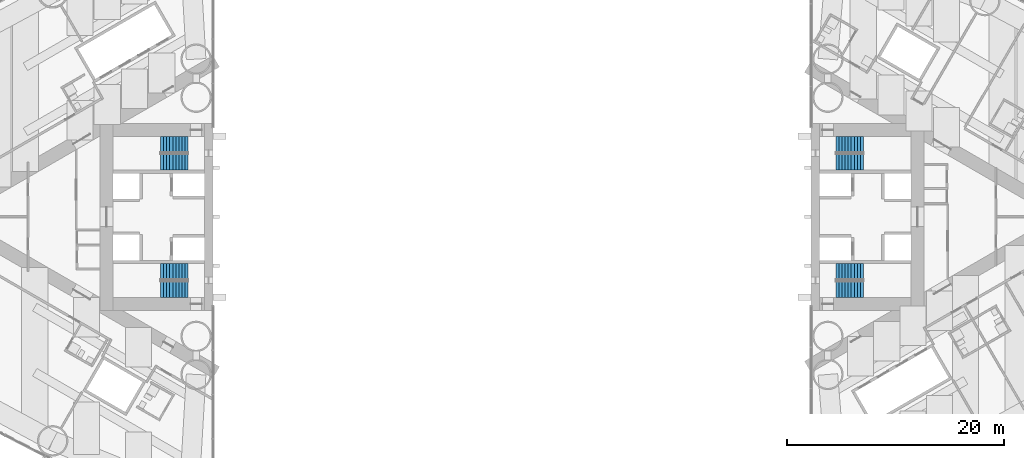
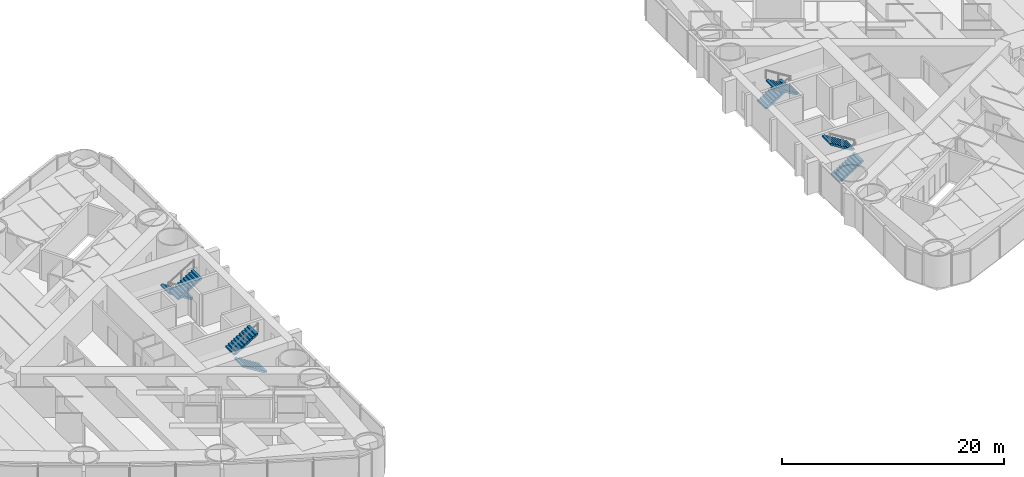
# One storey, part 17 of 19: 8 stair flights, 4 elements without a shape of their own.
"""IFC4 building model written with IfcOpenShell, lengths in metres."""

from ifc_helpers import new_model, si_unit, direction, frame, origin, place, context, subcontext, project, spatial, polyline, outline, extrude, material, type_object, element, aggregate, save


model = new_model("IFC4")

# Units and contexts
model_context = context("Model", 3, precision=1e-05, world=origin(), true_north=direction((0.0, 1.0)))
body_context = subcontext(model_context, "Body", "Model", "MODEL_VIEW")
ifc_project = project(units=[si_unit("LENGTHUNIT", "METRE"), si_unit("AREAUNIT", "SQUARE_METRE"), si_unit("VOLUMEUNIT", "CUBIC_METRE"), si_unit("PLANEANGLEUNIT", "RADIAN"), si_unit("MASSUNIT", "GRAM", prefix="KILO")], contexts=[model_context])

# Site, building, storey
site_placement = place(None, origin())
site = spatial("IfcSite", under=ifc_project, at=site_placement, CompositionType="ELEMENT")
building_placement = place(site_placement, origin())
building = spatial("IfcBuilding", under=site, at=building_placement, Name="Lancet Gate Hotel", CompositionType="ELEMENT")
storey_placement = place(building_placement, frame((0.0, 0.0, 35.5)))
storey = spatial("IfcBuildingStorey", under=building, at=storey_placement, Name="L08", CompositionType="ELEMENT", Elevation=35.5)

# Stair, stair flights
ifc_material_1 = material(Name="Exit stair 20 risers 1500")
stair_type = type_object("IfcStairType", Name="Exit stair 20 risers 1500", PredefinedType="HALF_TURN_STAIR", material=ifc_material_1)
stair_1_placement = place(storey_placement, origin())
stair_1 = element("IfcStair", 1, at=stair_1_placement, inside=storey, type_object=stair_type, Name="T1 stair 1 L08", PredefinedType="HALF_TURN_STAIR")
ifc_material_2 = material(Name="Stair flight 10 risers 175 rise 1500")
stair_flight_type = type_object("IfcStairFlightType", Name="Stair flight 10 risers 175 rise 1500", PredefinedType="STRAIGHT", material=ifc_material_2)
stair_flight_1_placement = place(storey_placement, frame((-29.800048828125, 6.64990234375, 0.0), z_axis=(0.0, 0.0, 1.0), x_axis=(-1.0, 0.0, 0.0)))
stair_flight_1 = element("IfcStairFlight", 2, at=stair_flight_1_placement, type_object=stair_flight_type, Name="ST1 flight 1", NumberOfRisers=10, NumberOfTreads=9, PredefinedType="STRAIGHT", RiserHeight=0.175, TreadLength=0.28, context=body_context, shape_type="SweptSolid", body=[
    extrude(outline(polyline([(0.0, 0.0), (0.0, 0.175048828125), (0.280029296875, 0.175048828125), (0.280029296875, 0.35009765625), (0.56005859375, 0.35009765625), (0.56005859375, 0.52490234375), (0.840087890625, 0.52490234375), (0.840087890625, 0.699951171875), (1.1201171875, 0.699951171875), (1.1201171875, 0.875), (1.39990234375, 0.875), (1.39990234375, 1.050048828125), (1.679931640625, 1.050048828125), (1.679931640625, 1.22509765625), (1.9599609375, 1.22509765625), (1.9599609375, 1.39990234375), (2.239990234375, 1.39990234375), (2.239990234375, 1.574951171875), (2.52001953125, 1.574951171875), (2.52001953125, 1.75), (2.52001953125, 1.398193359375), (0.28271484375, 0.0), (0.0, 0.0)])), frame((0.0, 0.75, 0.0), z_axis=(0.0, -1.0, 0.0), x_axis=(1.0, 0.0, 0.0)), (0.0, 0.0, 1.0), 1.5),
])
stair_flight_2_placement = place(storey_placement, frame((-32.320068359375, 5.050048828125, 1.75), z_axis=(0.0, 0.0, 1.0), x_axis=(1.0, 0.0, 0.0)))
stair_flight_2 = element("IfcStairFlight", 3, at=stair_flight_2_placement, type_object=stair_flight_type, Name="ST1 flight 2", NumberOfRisers=10, NumberOfTreads=9, PredefinedType="STRAIGHT", RiserHeight=0.175, TreadLength=0.28, context=body_context, shape_type="SweptSolid", body=[
    extrude(outline(polyline([(0.0, 0.0), (0.0, 0.175048828125), (0.280029296875, 0.175048828125), (0.280029296875, 0.35009765625), (0.56005859375, 0.35009765625), (0.56005859375, 0.52490234375), (0.840087890625, 0.52490234375), (0.840087890625, 0.699951171875), (1.1201171875, 0.699951171875), (1.1201171875, 0.875), (1.39990234375, 0.875), (1.39990234375, 1.050048828125), (1.679931640625, 1.050048828125), (1.679931640625, 1.22509765625), (1.9599609375, 1.22509765625), (1.9599609375, 1.39990234375), (2.239990234375, 1.39990234375), (2.239990234375, 1.574951171875), (2.52001953125, 1.574951171875), (2.52001953125, 1.75), (2.52001953125, 1.398193359375), (0.28271484375, 0.0), (0.0, 0.0)])), frame((0.0, 0.75, 0.0), z_axis=(0.0, -1.0, 0.0), x_axis=(1.0, 0.0, 0.0)), (0.0, 0.0, 1.0), 1.5),
])
aggregate(stair_1, [stair_flight_1, stair_flight_2])

stair_2_placement = place(storey_placement, origin())
stair_2 = element("IfcStair", 4, at=stair_2_placement, inside=storey, type_object=stair_type, Name="T1 stair 2 L08", PredefinedType="HALF_TURN_STAIR")
stair_flight_3_placement = place(storey_placement, frame((-29.800048828125, -6.64990234375, 0.0), z_axis=(0.0, 0.0, 1.0), x_axis=(-1.0, 0.0, 0.0)))
stair_flight_3 = element("IfcStairFlight", 5, at=stair_flight_3_placement, type_object=stair_flight_type, Name="ST2 flight 1", NumberOfRisers=10, NumberOfTreads=9, PredefinedType="STRAIGHT", RiserHeight=0.175, TreadLength=0.28, context=body_context, shape_type="SweptSolid", body=[
    extrude(outline(polyline([(0.0, 0.0), (0.0, 0.175048828125), (0.280029296875, 0.175048828125), (0.280029296875, 0.35009765625), (0.56005859375, 0.35009765625), (0.56005859375, 0.52490234375), (0.840087890625, 0.52490234375), (0.840087890625, 0.699951171875), (1.1201171875, 0.699951171875), (1.1201171875, 0.875), (1.39990234375, 0.875), (1.39990234375, 1.050048828125), (1.679931640625, 1.050048828125), (1.679931640625, 1.22509765625), (1.9599609375, 1.22509765625), (1.9599609375, 1.39990234375), (2.239990234375, 1.39990234375), (2.239990234375, 1.574951171875), (2.52001953125, 1.574951171875), (2.52001953125, 1.75), (2.52001953125, 1.398193359375), (0.28271484375, 0.0), (0.0, 0.0)])), frame((0.0, 0.75, 0.0), z_axis=(0.0, -1.0, 0.0), x_axis=(1.0, 0.0, 0.0)), (0.0, 0.0, 1.0), 1.5),
])
stair_flight_4_placement = place(storey_placement, frame((-32.320068359375, -5.050048828125, 1.75), z_axis=(0.0, 0.0, 1.0), x_axis=(1.0, 0.0, 0.0)))
stair_flight_4 = element("IfcStairFlight", 6, at=stair_flight_4_placement, type_object=stair_flight_type, Name="ST2 flight 2", NumberOfRisers=10, NumberOfTreads=9, PredefinedType="STRAIGHT", RiserHeight=0.175, TreadLength=0.28, context=body_context, shape_type="SweptSolid", body=[
    extrude(outline(polyline([(0.0, 0.0), (0.0, 0.175048828125), (0.280029296875, 0.175048828125), (0.280029296875, 0.35009765625), (0.56005859375, 0.35009765625), (0.56005859375, 0.52490234375), (0.840087890625, 0.52490234375), (0.840087890625, 0.699951171875), (1.1201171875, 0.699951171875), (1.1201171875, 0.875), (1.39990234375, 0.875), (1.39990234375, 1.050048828125), (1.679931640625, 1.050048828125), (1.679931640625, 1.22509765625), (1.9599609375, 1.22509765625), (1.9599609375, 1.39990234375), (2.239990234375, 1.39990234375), (2.239990234375, 1.574951171875), (2.52001953125, 1.574951171875), (2.52001953125, 1.75), (2.52001953125, 1.398193359375), (0.28271484375, 0.0), (0.0, 0.0)])), frame((0.0, 0.75, 0.0), z_axis=(0.0, -1.0, 0.0), x_axis=(1.0, 0.0, 0.0)), (0.0, 0.0, 1.0), 1.5),
])
aggregate(stair_2, [stair_flight_3, stair_flight_4])

stair_3_placement = place(storey_placement, origin())
stair_3 = element("IfcStair", 7, at=stair_3_placement, inside=storey, type_object=stair_type, Name="T2 stair 1 L08", PredefinedType="HALF_TURN_STAIR")
stair_flight_5_placement = place(storey_placement, frame((29.800048828125, -6.64990234375, 0.0), z_axis=(0.0, 0.0, 1.0), x_axis=(1.0, 0.0, 0.0)))
stair_flight_5 = element("IfcStairFlight", 8, at=stair_flight_5_placement, type_object=stair_flight_type, Name="ST3 flight 1", NumberOfRisers=10, NumberOfTreads=9, PredefinedType="STRAIGHT", RiserHeight=0.175, TreadLength=0.28, context=body_context, shape_type="SweptSolid", body=[
    extrude(outline(polyline([(0.0, 0.0), (0.0, 0.175048828125), (0.280029296875, 0.175048828125), (0.280029296875, 0.35009765625), (0.56005859375, 0.35009765625), (0.56005859375, 0.52490234375), (0.840087890625, 0.52490234375), (0.840087890625, 0.699951171875), (1.1201171875, 0.699951171875), (1.1201171875, 0.875), (1.39990234375, 0.875), (1.39990234375, 1.050048828125), (1.679931640625, 1.050048828125), (1.679931640625, 1.22509765625), (1.9599609375, 1.22509765625), (1.9599609375, 1.39990234375), (2.239990234375, 1.39990234375), (2.239990234375, 1.574951171875), (2.52001953125, 1.574951171875), (2.52001953125, 1.75), (2.52001953125, 1.398193359375), (0.28271484375, 0.0), (0.0, 0.0)])), frame((0.0, 0.75, 0.0), z_axis=(0.0, -1.0, 0.0), x_axis=(1.0, 0.0, 0.0)), (0.0, 0.0, 1.0), 1.5),
])
stair_flight_6_placement = place(storey_placement, frame((32.320068359375, -5.050048828125, 1.75), z_axis=(0.0, 0.0, 1.0), x_axis=(-1.0, 0.0, 0.0)))
stair_flight_6 = element("IfcStairFlight", 9, at=stair_flight_6_placement, type_object=stair_flight_type, Name="ST3 flight 2", NumberOfRisers=10, NumberOfTreads=9, PredefinedType="STRAIGHT", RiserHeight=0.175, TreadLength=0.28, context=body_context, shape_type="SweptSolid", body=[
    extrude(outline(polyline([(0.0, 0.0), (0.0, 0.175048828125), (0.280029296875, 0.175048828125), (0.280029296875, 0.35009765625), (0.56005859375, 0.35009765625), (0.56005859375, 0.52490234375), (0.840087890625, 0.52490234375), (0.840087890625, 0.699951171875), (1.1201171875, 0.699951171875), (1.1201171875, 0.875), (1.39990234375, 0.875), (1.39990234375, 1.050048828125), (1.679931640625, 1.050048828125), (1.679931640625, 1.22509765625), (1.9599609375, 1.22509765625), (1.9599609375, 1.39990234375), (2.239990234375, 1.39990234375), (2.239990234375, 1.574951171875), (2.52001953125, 1.574951171875), (2.52001953125, 1.75), (2.52001953125, 1.398193359375), (0.28271484375, 0.0), (0.0, 0.0)])), frame((0.0, 0.75, 0.0), z_axis=(0.0, -1.0, 0.0), x_axis=(1.0, 0.0, 0.0)), (0.0, 0.0, 1.0), 1.5),
])
aggregate(stair_3, [stair_flight_5, stair_flight_6])

stair_4_placement = place(storey_placement, origin())
stair_4 = element("IfcStair", 10, at=stair_4_placement, inside=storey, type_object=stair_type, Name="T2 stair 2 L08", PredefinedType="HALF_TURN_STAIR")
stair_flight_7_placement = place(storey_placement, frame((29.800048828125, 6.64990234375, 0.0), z_axis=(0.0, 0.0, 1.0), x_axis=(1.0, 0.0, 0.0)))
stair_flight_7 = element("IfcStairFlight", 11, at=stair_flight_7_placement, type_object=stair_flight_type, Name="ST4 flight 1", NumberOfRisers=10, NumberOfTreads=9, PredefinedType="STRAIGHT", RiserHeight=0.175, TreadLength=0.28, context=body_context, shape_type="SweptSolid", body=[
    extrude(outline(polyline([(0.0, 0.0), (0.0, 0.175048828125), (0.280029296875, 0.175048828125), (0.280029296875, 0.35009765625), (0.56005859375, 0.35009765625), (0.56005859375, 0.52490234375), (0.840087890625, 0.52490234375), (0.840087890625, 0.699951171875), (1.1201171875, 0.699951171875), (1.1201171875, 0.875), (1.39990234375, 0.875), (1.39990234375, 1.050048828125), (1.679931640625, 1.050048828125), (1.679931640625, 1.22509765625), (1.9599609375, 1.22509765625), (1.9599609375, 1.39990234375), (2.239990234375, 1.39990234375), (2.239990234375, 1.574951171875), (2.52001953125, 1.574951171875), (2.52001953125, 1.75), (2.52001953125, 1.398193359375), (0.28271484375, 0.0), (0.0, 0.0)])), frame((0.0, 0.75, 0.0), z_axis=(0.0, -1.0, 0.0), x_axis=(1.0, 0.0, 0.0)), (0.0, 0.0, 1.0), 1.5),
])
stair_flight_8_placement = place(storey_placement, frame((32.320068359375, 5.050048828125, 1.75), z_axis=(0.0, 0.0, 1.0), x_axis=(-1.0, 0.0, 0.0)))
stair_flight_8 = element("IfcStairFlight", 12, at=stair_flight_8_placement, type_object=stair_flight_type, Name="ST4 flight 2", NumberOfRisers=10, NumberOfTreads=9, PredefinedType="STRAIGHT", RiserHeight=0.175, TreadLength=0.28, context=body_context, shape_type="SweptSolid", body=[
    extrude(outline(polyline([(0.0, 0.0), (0.0, 0.175048828125), (0.280029296875, 0.175048828125), (0.280029296875, 0.35009765625), (0.56005859375, 0.35009765625), (0.56005859375, 0.52490234375), (0.840087890625, 0.52490234375), (0.840087890625, 0.699951171875), (1.1201171875, 0.699951171875), (1.1201171875, 0.875), (1.39990234375, 0.875), (1.39990234375, 1.050048828125), (1.679931640625, 1.050048828125), (1.679931640625, 1.22509765625), (1.9599609375, 1.22509765625), (1.9599609375, 1.39990234375), (2.239990234375, 1.39990234375), (2.239990234375, 1.574951171875), (2.52001953125, 1.574951171875), (2.52001953125, 1.75), (2.52001953125, 1.398193359375), (0.28271484375, 0.0), (0.0, 0.0)])), frame((0.0, 0.75, 0.0), z_axis=(0.0, -1.0, 0.0), x_axis=(1.0, 0.0, 0.0)), (0.0, 0.0, 1.0), 1.5),
])
aggregate(stair_4, [stair_flight_7, stair_flight_8])

save(model, "model.ifc")
